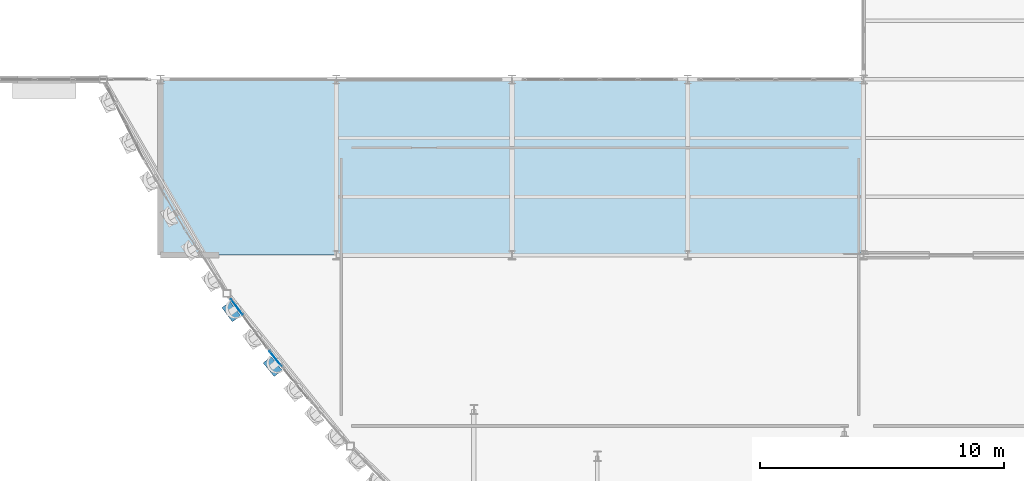
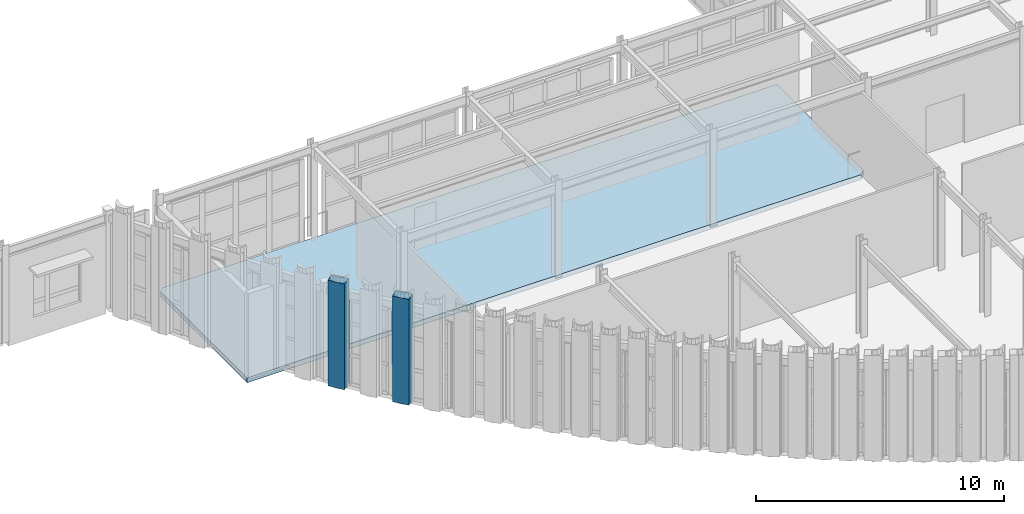
# One storey, part 83 of 126: 7 plates, 1 slab, 2 elements without a shape of their own.
"""IFC4 building model written with IfcOpenShell, lengths in metres."""

from ifc_helpers import new_model, si_unit, direction, frame, origin, origin_2d, place, context, subcontext, project, spatial, polyline, rectangle, outline, extrude, material, layer, layer_set, type_object, element, aggregate, save


model = new_model("IFC4")

# Units and contexts
model_context = context("Model", 3, precision=1e-05, world=origin(), true_north=direction((0.0, 1.0)))
body_context = subcontext(model_context, "Body", "Model", "MODEL_VIEW")
ifc_project = project(units=[si_unit("LENGTHUNIT", "METRE"), si_unit("AREAUNIT", "SQUARE_METRE"), si_unit("VOLUMEUNIT", "CUBIC_METRE"), si_unit("PLANEANGLEUNIT", "RADIAN"), si_unit("MASSUNIT", "GRAM", prefix="KILO")], contexts=[model_context])

# Site, building, storey
site_placement = place(None, origin())
site = spatial("IfcSite", under=ifc_project, at=site_placement, CompositionType="ELEMENT")
building_placement = place(site_placement, origin())
building = spatial("IfcBuilding", under=site, at=building_placement, Name="Solvadek Multi-Sports Hall", CompositionType="ELEMENT")
storey_placement = place(building_placement, frame((0.0, 0.0, 9.60009765625)))
storey = spatial("IfcBuildingStorey", under=building, at=storey_placement, Name="L02", CompositionType="ELEMENT", Elevation=9.60009765625)

# Curtain wall, plates
ifc_material_1 = material(Name="Anodised aluminium", Category="aluminium")
ifc_layer_1 = layer(ifc_material_1, 0.159912109375, Name="Anodised aluminium")
ifc_layer_set_1 = layer_set([ifc_layer_1], Name="Anodised aluminium")
curtain_wall_type_1 = type_object("IfcCurtainWallType", Name="ENV-CW-257X420", PredefinedType="USERDEFINED", material=ifc_layer_set_1)
curtain_wall_1_placement = place(storey_placement, origin())
curtain_wall_1 = element("IfcCurtainWall", 1, at=curtain_wall_1_placement, inside=storey, type_object=curtain_wall_type_1, Name="L02 Crescent Curved Curtain Wall #8", ObjectType="CURTAIN WALL", PredefinedType="USERDEFINED")
ifc_material_2 = material(Name="Tempered laminated low-E glass", Category="glass")
ifc_layer_2 = layer(ifc_material_2, 0.02392578125, Name="Tempered laminated low-E glass")
ifc_layer_set_2 = layer_set([ifc_layer_2], Name="Tempered laminated low-E glass")
plate_type_1 = type_object("IfcPlateType", Name="ENV-CWP-01", PredefinedType="CURTAIN_PANEL", material=ifc_layer_set_2)
plate_1_placement = place(storey_placement, frame((31.9208984375, 11.081787109375, 0.06494140625), z_axis=(0.0, 0.0, 1.0), x_axis=(0.593152651883, -0.805090014572, 0.0)))
plate_1 = element("IfcPlate", 2, at=plate_1_placement, type_object=plate_type_1, Name="CW-04 panel 1.1", PredefinedType="CURTAIN_PANEL", context=body_context, shape_type="SweptSolid", body=[
    extrude(rectangle(XDim=0.76806640625, YDim=0.02392578125, at=origin_2d()), origin(), (0.0, 0.0, 1.0), 1.37255859375),
])
plate_2_placement = place(storey_placement, frame((31.9208984375, 11.081787109375, 1.50244140625), z_axis=(0.0, 0.0, 1.0), x_axis=(0.593152651883, -0.805090014572, 0.0)))
plate_2 = element("IfcPlate", 3, at=plate_2_placement, type_object=plate_type_1, Name="CW-04 panel 1.2", PredefinedType="CURTAIN_PANEL", context=body_context, shape_type="SweptSolid", body=[
    extrude(rectangle(XDim=0.76806640625, YDim=0.02392578125, at=origin_2d()), origin(), (0.0, 0.0, 1.0), 1.489013671875),
])
plate_3_placement = place(storey_placement, frame((31.9208984375, 11.081787109375, 3.056396484375), z_axis=(0.0, 0.0, 1.0), x_axis=(0.593152651883, -0.805090014572, 0.0)))
plate_3 = element("IfcPlate", 4, at=plate_3_placement, type_object=plate_type_1, Name="CW-04 panel 1.3", PredefinedType="CURTAIN_PANEL", context=body_context, shape_type="SweptSolid", body=[
    extrude(rectangle(XDim=0.76806640625, YDim=0.02392578125, at=origin_2d()), origin(), (0.0, 0.0, 1.0), 1.07861328125),
])
aggregate(curtain_wall_1, [plate_1, plate_2, plate_3])

ifc_layer_3 = layer(ifc_material_1, 0.159912109375, Name="Anodised aluminium")
ifc_layer_set_3 = layer_set([ifc_layer_3], Name="Anodised aluminium")
curtain_wall_type_2 = type_object("IfcCurtainWallType", Name="ENV-CW-261X420", PredefinedType="USERDEFINED", material=ifc_layer_set_3)
curtain_wall_2_placement = place(storey_placement, origin())
curtain_wall_2 = element("IfcCurtainWall", 5, at=curtain_wall_2_placement, inside=storey, type_object=curtain_wall_type_2, Name="L02 Crescent Curved Curtain Wall #10", ObjectType="CURTAIN WALL", PredefinedType="USERDEFINED")
ifc_layer_4 = layer(ifc_material_2, 0.028076171875, Name="Tempered laminated low-E glass")
ifc_layer_set_4 = layer_set([ifc_layer_4], Name="Tempered laminated low-E glass")
plate_type_2 = type_object("IfcPlateType", Name="ENV-CWP-02", PredefinedType="CURTAIN_PANEL", material=ifc_layer_set_4)
plate_4_placement = place(storey_placement, frame((33.506103515625, 8.96875, 1.50244140625), z_axis=(0.0, 0.0, 1.0), x_axis=(0.630693411926, -0.77603209995, 0.0)))
plate_4 = element("IfcPlate", 6, at=plate_4_placement, type_object=plate_type_2, Name="CW-05 panel 1.2", PredefinedType="CURTAIN_PANEL", context=body_context, shape_type="SweptSolid", body=[
    extrude(rectangle(XDim=0.77392578125, YDim=0.028076171875, at=origin_2d()), origin(), (0.0, 0.0, 1.0), 1.489013671875),
])
plate_5_placement = place(storey_placement, frame((33.506103515625, 8.96875, 3.056396484375), z_axis=(0.0, 0.0, 1.0), x_axis=(0.630693411926, -0.77603209995, 0.0)))
plate_5 = element("IfcPlate", 7, at=plate_5_placement, type_object=plate_type_2, Name="CW-05 panel 1.3", PredefinedType="CURTAIN_PANEL", context=body_context, shape_type="SweptSolid", body=[
    extrude(rectangle(XDim=0.77392578125, YDim=0.028076171875, at=origin_2d()), origin(), (0.0, 0.0, 1.0), 1.07861328125),
])
aggregate(curtain_wall_2, [plate_4, plate_5])

# Plates
ifc_material_3 = material(Name="Perforated champagne-bronze anodised aluminium", Category="aluminium")
ifc_layer_5 = layer(ifc_material_3, 0.419921875, Name="Perforated champagne-bronze anodised aluminium")
ifc_layer_set_5 = layer_set([ifc_layer_5], Name="Perforated champagne-bronze anodised aluminium")
plate_type_3 = type_object("IfcPlateType", Name="ENV-FLT-520", PredefinedType="USERDEFINED", material=ifc_layer_set_5)
for number, where, z_axis, x_axis, name in (
    (8, (31.6953125, 10.882080078125, 0.0400390625), (0.0, 0.0, 1.0), (0.593159455627, -0.805085001848, 0.0), "L02 Half-Cylinder Colonnade Flute #15"),
    (9, (33.390869140625, 8.634765625, 0.0400390625), (0.0, 0.0, 1.0), (0.630677076434, -0.776045375774, 0.0), "L02 Half-Cylinder Colonnade Flute #19"),
):
    element("IfcPlate", number, at=place(storey_placement, frame(where, z_axis=z_axis, x_axis=x_axis)), inside=storey, type_object=plate_type_3, Name=name, ObjectType="FLANGED_SHEET", PredefinedType="USERDEFINED", context=body_context, shape_type="SweptSolid", body=[
        extrude(rectangle(XDim=0.719970703125, YDim=0.419921875, at=origin_2d()), origin(), (0.0, 0.0, 1.0), 5.199951171875),
    ])

# Slab
ifc_material_4 = material(Name="Concrete M35", Category="concrete")
ifc_layer_6 = layer(ifc_material_4, 0.239990234375, Name="Concrete M35")
ifc_layer_set_6 = layer_set([ifc_layer_6], Name="Concrete M35")
slab_type = type_object("IfcSlabType", Name="STR-SLB-FLR240", PredefinedType="FLOOR", material=ifc_layer_set_6)
slab_placement = place(storey_placement, frame((0.0, 0.0, -0.239990234375)))
element("IfcSlab", 10, at=slab_placement, inside=storey, type_object=slab_type, Name="L02 Second Floor Slab #76", PredefinedType="FLOOR", context=body_context, shape_type="SweptSolid", body=[
    extrude(outline(polyline([(28.800048828125, 15.94091796875), (28.800048828125, 20.179931640625), (29.02001953125, 20.39990234375), (57.60009765625, 20.39990234375), (57.60009765625, 13.419921875), (57.3798828125, 13.199951171875), (30.478515625, 13.199951171875), (28.800048828125, 13.199951171875), (28.800048828125, 15.94091796875)])), origin(), (0.0, 0.0, 1.0), 0.239990234375),
])

save(model, "model.ifc")
